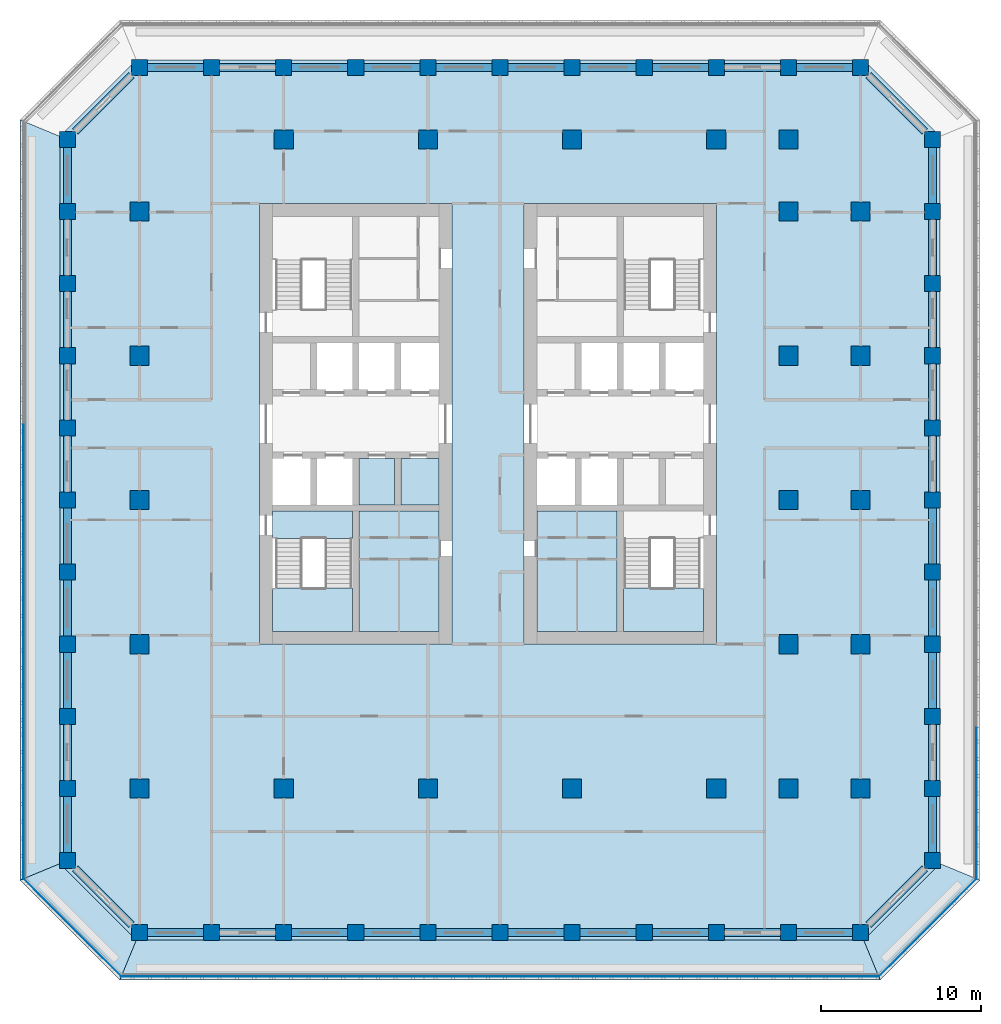
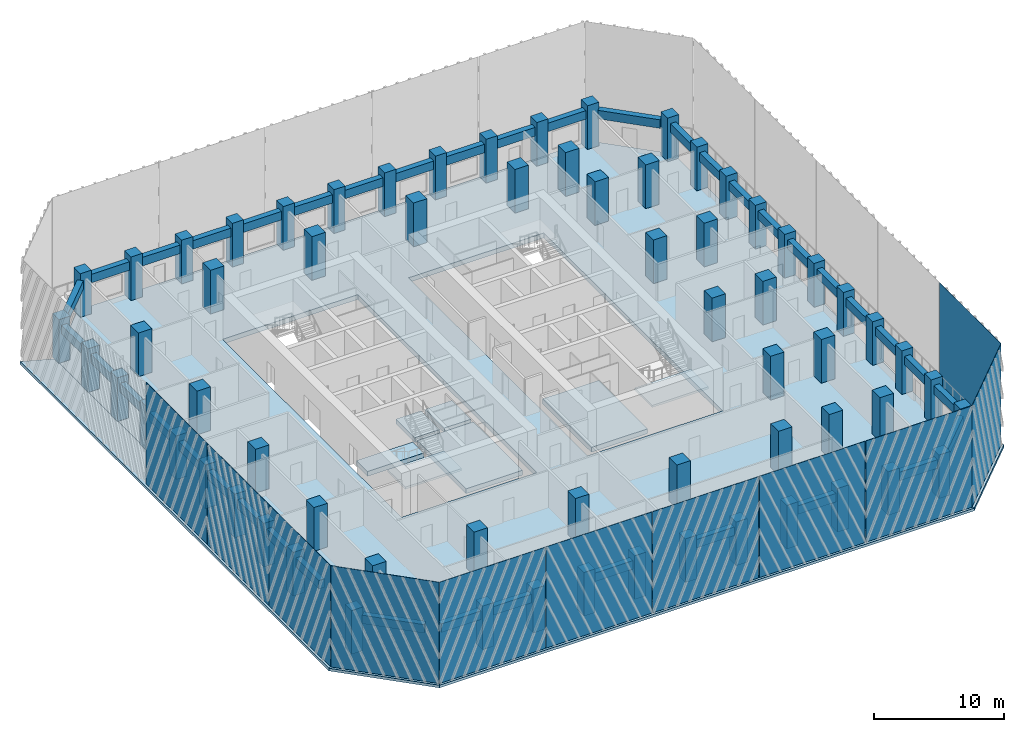
# One storey, part 1 of 17: 68 columns, 44 beams, 12 slabs, 11 plates, 2 elements without a shape of their own.
"""IFC4 building model written with IfcOpenShell, lengths in metres."""

from ifc_helpers import new_model, si_unit, direction, frame, origin, origin_2d, place, context, subcontext, project, spatial, polyline, rectangle, outline, extrude, material, layer, layer_set, material_profile, profile_set, type_object, element, aggregate, save


model = new_model("IFC4")

# Units and contexts
model_context = context("Model", 3, precision=1e-05, world=origin(), true_north=direction((0.0, 1.0)))
body_context = subcontext(model_context, "Body", "Model", "MODEL_VIEW")
ifc_project = project(units=[si_unit("LENGTHUNIT", "METRE"), si_unit("AREAUNIT", "SQUARE_METRE"), si_unit("VOLUMEUNIT", "CUBIC_METRE"), si_unit("PLANEANGLEUNIT", "RADIAN"), si_unit("MASSUNIT", "GRAM", prefix="KILO")], contexts=[model_context])

# Site, building, storey
site_placement = place(None, origin())
site = spatial("IfcSite", under=ifc_project, at=site_placement, CompositionType="ELEMENT")
building_placement = place(site_placement, origin())
building = spatial("IfcBuilding", under=site, at=building_placement, Name="Corbel Stack Research Tower", CompositionType="ELEMENT")
storey_placement = place(building_placement, frame((0.0, 0.0, 216.10009765625)))
storey = spatial("IfcBuildingStorey", under=building, at=storey_placement, Name="L49", CompositionType="ELEMENT", Elevation=216.10009765625)

# Columns
ifc_material_1 = material(Name="Concrete C60/75", Category="concrete")
ifc_material_profile_1 = material_profile(ifc_material_1, rectangle(XDim=1.0, YDim=1.0, at=origin_2d()), Name="RC 1000 x 1000")
ifc_profile_set_1 = profile_set([ifc_material_profile_1], Name="Concrete C60/75")
column_type_1 = type_object("IfcColumnType", Name="C-1000-60", PredefinedType="COLUMN", material=ifc_profile_set_1)
for number, where, z_axis, x_axis, name in (
    (1, (-22.5, -22.5, 0.0), (0.0, 0.0, 1.0), (1.0, 0.0, 0.0), "Column 3/C L49"),
    (2, (-22.5, -18.0, 0.0), (0.0, 0.0, 1.0), (1.0, 0.0, 0.0), "Column 3/D L49"),
    (3, (-22.5, -13.5, 0.0), (0.0, 0.0, 1.0), (1.0, 0.0, 0.0), "Column 3/E L49"),
    (4, (-22.5, -9.0, 0.0), (0.0, 0.0, 1.0), (1.0, 0.0, 0.0), "Column 3/F L49"),
    (5, (-22.5, -4.5, 0.0), (0.0, 0.0, 1.0), (1.0, 0.0, 0.0), "Column 3/G L49"),
    (6, (-22.5, 0.0, 0.0), (0.0, 0.0, 1.0), (1.0, 0.0, 0.0), "Column 3/H L49"),
    (7, (-22.5, 4.5, 0.0), (0.0, 0.0, 1.0), (1.0, 0.0, 0.0), "Column 3/J L49"),
    (8, (-22.5, 9.0, 0.0), (0.0, 0.0, 1.0), (1.0, 0.0, 0.0), "Column 3/K L49"),
    (9, (-22.5, 13.5, 0.0), (0.0, 0.0, 1.0), (1.0, 0.0, 0.0), "Column 3/L L49"),
    (10, (-22.5, 18.0, 0.0), (0.0, 0.0, 1.0), (1.0, 0.0, 0.0), "Column 3/M L49"),
    (11, (-22.5, 22.5, 0.0), (0.0, 0.0, 1.0), (1.0, 0.0, 0.0), "Column 3/N L49"),
    (12, (-18.0, -27.0, 0.0), (0.0, 0.0, 1.0), (1.0, 0.0, 0.0), "Column 4/B L49"),
    (13, (-18.0, 27.0, 0.0), (0.0, 0.0, 1.0), (1.0, 0.0, 0.0), "Column 4/P L49"),
    (14, (-13.5, -27.0, 0.0), (0.0, 0.0, 1.0), (1.0, 0.0, 0.0), "Column 5/B L49"),
    (15, (-13.5, 27.0, 0.0), (0.0, 0.0, 1.0), (1.0, 0.0, 0.0), "Column 5/P L49"),
    (16, (-9.0, -27.0, 0.0), (0.0, 0.0, 1.0), (1.0, 0.0, 0.0), "Column 6/B L49"),
    (17, (-9.0, 27.0, 0.0), (0.0, 0.0, 1.0), (1.0, 0.0, 0.0), "Column 6/P L49"),
    (18, (-4.5, -27.0, 0.0), (0.0, 0.0, 1.0), (1.0, 0.0, 0.0), "Column 7/B L49"),
    (19, (-4.5, 27.0, 0.0), (0.0, 0.0, 1.0), (1.0, 0.0, 0.0), "Column 7/P L49"),
    (20, (0.0, -27.0, 0.0), (0.0, 0.0, 1.0), (1.0, 0.0, 0.0), "Column 8/B L49"),
    (21, (0.0, 27.0, 0.0), (0.0, 0.0, 1.0), (1.0, 0.0, 0.0), "Column 8/P L49"),
    (22, (4.5, -27.0, 0.0), (0.0, 0.0, 1.0), (1.0, 0.0, 0.0), "Column 9/B L49"),
    (23, (4.5, 27.0, 0.0), (0.0, 0.0, 1.0), (1.0, 0.0, 0.0), "Column 9/P L49"),
    (24, (9.0, -27.0, 0.0), (0.0, 0.0, 1.0), (1.0, 0.0, 0.0), "Column 10/B L49"),
    (25, (9.0, 27.0, 0.0), (0.0, 0.0, 1.0), (1.0, 0.0, 0.0), "Column 10/P L49"),
    (26, (13.5, -27.0, 0.0), (0.0, 0.0, 1.0), (1.0, 0.0, 0.0), "Column 11/B L49"),
    (27, (13.5, 27.0, 0.0), (0.0, 0.0, 1.0), (1.0, 0.0, 0.0), "Column 11/P L49"),
    (28, (18.0, -27.0, 0.0), (0.0, 0.0, 1.0), (1.0, 0.0, 0.0), "Column 12/B L49"),
    (29, (18.0, 27.0, 0.0), (0.0, 0.0, 1.0), (1.0, 0.0, 0.0), "Column 12/P L49"),
    (30, (22.5, -27.0, 0.0), (0.0, 0.0, 1.0), (1.0, 0.0, 0.0), "Column 13/B L49"),
    (31, (22.5, 27.0, 0.0), (0.0, 0.0, 1.0), (1.0, 0.0, 0.0), "Column 13/P L49"),
    (32, (27.0, -27.0, 0.0), (0.0, 0.0, 1.0), (1.0, 0.0, 0.0), "Column 14/B L49"),
    (33, (27.0, 27.0, 0.0), (0.0, 0.0, 1.0), (1.0, 0.0, 0.0), "Column 14/P L49"),
    (34, (31.5, -22.5, 0.0), (0.0, 0.0, 1.0), (1.0, 0.0, 0.0), "Column 15/C L49"),
    (35, (31.5, -18.0, 0.0), (0.0, 0.0, 1.0), (1.0, 0.0, 0.0), "Column 15/D L49"),
    (36, (31.5, -13.5, 0.0), (0.0, 0.0, 1.0), (1.0, 0.0, 0.0), "Column 15/E L49"),
    (37, (31.5, -9.0, 0.0), (0.0, 0.0, 1.0), (1.0, 0.0, 0.0), "Column 15/F L49"),
    (38, (31.5, -4.5, 0.0), (0.0, 0.0, 1.0), (1.0, 0.0, 0.0), "Column 15/G L49"),
    (39, (31.5, 0.0, 0.0), (0.0, 0.0, 1.0), (1.0, 0.0, 0.0), "Column 15/H L49"),
    (40, (31.5, 4.5, 0.0), (0.0, 0.0, 1.0), (1.0, 0.0, 0.0), "Column 15/J L49"),
    (41, (31.5, 9.0, 0.0), (0.0, 0.0, 1.0), (1.0, 0.0, 0.0), "Column 15/K L49"),
    (42, (31.5, 13.5, 0.0), (0.0, 0.0, 1.0), (1.0, 0.0, 0.0), "Column 15/L L49"),
    (43, (31.5, 18.0, 0.0), (0.0, 0.0, 1.0), (1.0, 0.0, 0.0), "Column 15/M L49"),
    (44, (31.5, 22.5, 0.0), (0.0, 0.0, 1.0), (1.0, 0.0, 0.0), "Column 15/N L49"),
):
    element("IfcColumn", number, at=place(storey_placement, frame(where, z_axis=z_axis, x_axis=x_axis)), inside=storey, type_object=column_type_1, Name=name, PredefinedType="COLUMN", context=body_context, shape_type="SweptSolid", body=[
        extrude(rectangle(XDim=1.0, YDim=1.0, at=origin_2d()), origin(), (0.0, 0.0, 1.0), 4.099853515625),
    ])
ifc_material_2 = material(Name="Concrete C60/75", Category="concrete")
ifc_material_profile_2 = material_profile(ifc_material_2, rectangle(XDim=1.199951171875, YDim=1.199951171875, at=origin_2d()), Name="RC 1200 x 1200")
ifc_profile_set_2 = profile_set([ifc_material_profile_2], Name="Concrete C60/75")
column_type_2 = type_object("IfcColumnType", Name="C-1200-60", PredefinedType="COLUMN", material=ifc_profile_set_2)
for number, where, z_axis, x_axis, name in (
    (45, (-18.0, -18.0, 0.0), (0.0, 0.0, 1.0), (1.0, 0.0, 0.0), "Column 4/D L49"),
    (46, (-18.0, -9.0, 0.0), (0.0, 0.0, 1.0), (1.0, 0.0, 0.0), "Column 4/F L49"),
    (47, (-18.0, 0.0, 0.0), (0.0, 0.0, 1.0), (1.0, 0.0, 0.0), "Column 4/H L49"),
    (48, (-18.0, 9.0, 0.0), (0.0, 0.0, 1.0), (1.0, 0.0, 0.0), "Column 4/K L49"),
    (49, (-18.0, 18.0, 0.0), (0.0, 0.0, 1.0), (1.0, 0.0, 0.0), "Column 4/M L49"),
    (50, (-9.0, -18.0, 0.0), (0.0, 0.0, 1.0), (1.0, 0.0, 0.0), "Column 6/D L49"),
    (51, (-9.0, 22.5, 0.0), (0.0, 0.0, 1.0), (1.0, 0.0, 0.0), "Column 6/N L49"),
    (52, (0.0, -18.0, 0.0), (0.0, 0.0, 1.0), (1.0, 0.0, 0.0), "Column 8/D L49"),
    (53, (0.0, 22.5, 0.0), (0.0, 0.0, 1.0), (1.0, 0.0, 0.0), "Column 8/N L49"),
    (54, (9.0, -18.0, 0.0), (0.0, 0.0, 1.0), (1.0, 0.0, 0.0), "Column 10/D L49"),
    (55, (9.0, 22.5, 0.0), (0.0, 0.0, 1.0), (1.0, 0.0, 0.0), "Column 10/N L49"),
    (56, (18.0, -18.0, 0.0), (0.0, 0.0, 1.0), (1.0, 0.0, 0.0), "Column 12/D L49"),
    (57, (18.0, 22.5, 0.0), (0.0, 0.0, 1.0), (1.0, 0.0, 0.0), "Column 12/N L49"),
    (58, (22.5, -18.0, 0.0), (0.0, 0.0, 1.0), (1.0, 0.0, 0.0), "Column 13/D L49"),
    (59, (22.5, -9.0, 0.0), (0.0, 0.0, 1.0), (1.0, 0.0, 0.0), "Column 13/F L49"),
    (60, (22.5, 0.0, 0.0), (0.0, 0.0, 1.0), (1.0, 0.0, 0.0), "Column 13/H L49"),
    (61, (22.5, 9.0, 0.0), (0.0, 0.0, 1.0), (1.0, 0.0, 0.0), "Column 13/K L49"),
    (62, (22.5, 18.0, 0.0), (0.0, 0.0, 1.0), (1.0, 0.0, 0.0), "Column 13/M L49"),
    (63, (22.5, 22.5, 0.0), (0.0, 0.0, 1.0), (1.0, 0.0, 0.0), "Column 13/N L49"),
    (64, (27.0, -18.0, 0.0), (0.0, 0.0, 1.0), (1.0, 0.0, 0.0), "Column 14/D L49"),
    (65, (27.0, -9.0, 0.0), (0.0, 0.0, 1.0), (1.0, 0.0, 0.0), "Column 14/F L49"),
    (66, (27.0, 0.0, 0.0), (0.0, 0.0, 1.0), (1.0, 0.0, 0.0), "Column 14/H L49"),
    (67, (27.0, 9.0, 0.0), (0.0, 0.0, 1.0), (1.0, 0.0, 0.0), "Column 14/K L49"),
    (68, (27.0, 18.0, 0.0), (0.0, 0.0, 1.0), (1.0, 0.0, 0.0), "Column 14/M L49"),
):
    element("IfcColumn", number, at=place(storey_placement, frame(where, z_axis=z_axis, x_axis=x_axis)), inside=storey, type_object=column_type_2, Name=name, PredefinedType="COLUMN", context=body_context, shape_type="SweptSolid", body=[
        extrude(rectangle(XDim=1.199951171875, YDim=1.199951171875, at=origin_2d()), origin(), (0.0, 0.0, 1.0), 4.099853515625),
    ])

# Beams
ifc_material_3 = material(Name="Concrete C60/75", Category="concrete")
ifc_material_profile_3 = material_profile(ifc_material_3, rectangle(XDim=0.5, YDim=0.800048828125, at=origin_2d()), Name="RC 500 x 800")
ifc_profile_set_3 = profile_set([ifc_material_profile_3], Name="Concrete C60/75")
beam_type = type_object("IfcBeamType", Name="SB-500-800-600", PredefinedType="SPANDREL", material=ifc_profile_set_3)
for number, where, z_axis, x_axis, name in (
    (69, (-17.5, -27.0, 3.099853515625), (1.0, 0.0, 0.0), (0.0, 1.0, 0.0), "Spandrel beam L49-01"),
    (70, (-13.0, -27.0, 3.099853515625), (1.0, 0.0, 0.0), (0.0, 1.0, 0.0), "Spandrel beam L49-02"),
    (71, (-8.5, -27.0, 3.099853515625), (1.0, 0.0, 0.0), (0.0, 1.0, 0.0), "Spandrel beam L49-03"),
    (72, (-4.0, -27.0, 3.099853515625), (1.0, 0.0, 0.0), (0.0, 1.0, 0.0), "Spandrel beam L49-04"),
    (73, (0.5, -27.0, 3.099853515625), (1.0, 0.0, 0.0), (0.0, 1.0, 0.0), "Spandrel beam L49-05"),
    (74, (5.0, -27.0, 3.099853515625), (1.0, 0.0, 0.0), (0.0, 1.0, 0.0), "Spandrel beam L49-06"),
    (75, (9.5, -27.0, 3.099853515625), (1.0, 0.0, 0.0), (0.0, 1.0, 0.0), "Spandrel beam L49-07"),
    (76, (14.0, -27.0, 3.099853515625), (1.0, 0.0, 0.0), (0.0, 1.0, 0.0), "Spandrel beam L49-08"),
    (77, (18.5, -27.0, 3.099853515625), (1.0, 0.0, 0.0), (0.0, 1.0, 0.0), "Spandrel beam L49-09"),
    (78, (23.0, -27.0, 3.099853515625), (1.0, 0.0, 0.0), (0.0, 1.0, 0.0), "Spandrel beam L49-10"),
):
    element("IfcBeam", number, at=place(storey_placement, frame(where, z_axis=z_axis, x_axis=x_axis)), inside=storey, type_object=beam_type, Name=name, PredefinedType="SPANDREL", context=body_context, shape_type="SweptSolid", body=[
        extrude(rectangle(XDim=0.5, YDim=0.800048828125, at=origin_2d()), origin(), (0.0, 0.0, 1.0), 3.5),
    ])
beam_1_placement = place(storey_placement, frame((27.5, -26.5, 3.099853515625), z_axis=(0.707106781187, 0.707106781187, 0.0), x_axis=(-0.707106781187, 0.707106781187, 0.0)))
element("IfcBeam", 79, at=beam_1_placement, inside=storey, type_object=beam_type, Name="Spandrel beam L49-11", PredefinedType="SPANDREL", context=body_context, shape_type="SweptSolid", body=[
    extrude(rectangle(XDim=0.5, YDim=0.800048828125, at=origin_2d()), origin(), (0.0, 0.0, 1.0), 4.94970703125),
])
for number, where, z_axis, x_axis, name in (
    (80, (31.5, -22.0, 3.099853515625), (0.0, 1.0, 0.0), (-1.0, 0.0, 0.0), "Spandrel beam L49-12"),
    (81, (31.5, -17.5, 3.099853515625), (0.0, 1.0, 0.0), (-1.0, 0.0, 0.0), "Spandrel beam L49-13"),
    (82, (31.5, -13.0, 3.099853515625), (0.0, 1.0, 0.0), (-1.0, 0.0, 0.0), "Spandrel beam L49-14"),
    (83, (31.5, -8.5, 3.099853515625), (0.0, 1.0, 0.0), (-1.0, 0.0, 0.0), "Spandrel beam L49-15"),
    (84, (31.5, -4.0, 3.099853515625), (0.0, 1.0, 0.0), (-1.0, 0.0, 0.0), "Spandrel beam L49-16"),
    (85, (31.5, 0.5, 3.099853515625), (0.0, 1.0, 0.0), (-1.0, 0.0, 0.0), "Spandrel beam L49-17"),
    (86, (31.5, 5.0, 3.099853515625), (0.0, 1.0, 0.0), (-1.0, 0.0, 0.0), "Spandrel beam L49-18"),
    (87, (31.5, 9.5, 3.099853515625), (0.0, 1.0, 0.0), (-1.0, 0.0, 0.0), "Spandrel beam L49-19"),
    (88, (31.5, 14.0, 3.099853515625), (0.0, 1.0, 0.0), (-1.0, 0.0, 0.0), "Spandrel beam L49-20"),
    (89, (31.5, 18.5, 3.099853515625), (0.0, 1.0, 0.0), (-1.0, 0.0, 0.0), "Spandrel beam L49-21"),
):
    element("IfcBeam", number, at=place(storey_placement, frame(where, z_axis=z_axis, x_axis=x_axis)), inside=storey, type_object=beam_type, Name=name, PredefinedType="SPANDREL", context=body_context, shape_type="SweptSolid", body=[
        extrude(rectangle(XDim=0.5, YDim=0.800048828125, at=origin_2d()), origin(), (0.0, 0.0, 1.0), 3.5),
    ])
beam_2_placement = place(storey_placement, frame((31.0, 23.0, 3.099853515625), z_axis=(-0.707106781187, 0.707106781187, 0.0), x_axis=(-0.707106781187, -0.707106781187, 0.0)))
element("IfcBeam", 90, at=beam_2_placement, inside=storey, type_object=beam_type, Name="Spandrel beam L49-22", PredefinedType="SPANDREL", context=body_context, shape_type="SweptSolid", body=[
    extrude(rectangle(XDim=0.5, YDim=0.800048828125, at=origin_2d()), origin(), (0.0, 0.0, 1.0), 4.94970703125),
])
for number, where, z_axis, x_axis, name in (
    (91, (26.5, 27.0, 3.099853515625), (-1.0, 0.0, 0.0), (0.0, -1.0, 0.0), "Spandrel beam L49-23"),
    (92, (22.0, 27.0, 3.099853515625), (-1.0, 0.0, 0.0), (0.0, -1.0, 0.0), "Spandrel beam L49-24"),
    (93, (17.5, 27.0, 3.099853515625), (-1.0, 0.0, 0.0), (0.0, -1.0, 0.0), "Spandrel beam L49-25"),
    (94, (13.0, 27.0, 3.099853515625), (-1.0, 0.0, 0.0), (0.0, -1.0, 0.0), "Spandrel beam L49-26"),
    (95, (8.5, 27.0, 3.099853515625), (-1.0, 0.0, 0.0), (0.0, -1.0, 0.0), "Spandrel beam L49-27"),
    (96, (4.0, 27.0, 3.099853515625), (-1.0, 0.0, 0.0), (0.0, -1.0, 0.0), "Spandrel beam L49-28"),
    (97, (-0.5, 27.0, 3.099853515625), (-1.0, 0.0, 0.0), (0.0, -1.0, 0.0), "Spandrel beam L49-29"),
    (98, (-5.0, 27.0, 3.099853515625), (-1.0, 0.0, 0.0), (0.0, -1.0, 0.0), "Spandrel beam L49-30"),
    (99, (-9.5, 27.0, 3.099853515625), (-1.0, 0.0, 0.0), (0.0, -1.0, 0.0), "Spandrel beam L49-31"),
    (100, (-14.0, 27.0, 3.099853515625), (-1.0, 0.0, 0.0), (0.0, -1.0, 0.0), "Spandrel beam L49-32"),
):
    element("IfcBeam", number, at=place(storey_placement, frame(where, z_axis=z_axis, x_axis=x_axis)), inside=storey, type_object=beam_type, Name=name, PredefinedType="SPANDREL", context=body_context, shape_type="SweptSolid", body=[
        extrude(rectangle(XDim=0.5, YDim=0.800048828125, at=origin_2d()), origin(), (0.0, 0.0, 1.0), 3.5),
    ])
beam_3_placement = place(storey_placement, frame((-18.5, 26.5, 3.099853515625), z_axis=(-0.707106781187, -0.707106781187, 0.0), x_axis=(0.707106781187, -0.707106781187, 0.0)))
element("IfcBeam", 101, at=beam_3_placement, inside=storey, type_object=beam_type, Name="Spandrel beam L49-33", PredefinedType="SPANDREL", context=body_context, shape_type="SweptSolid", body=[
    extrude(rectangle(XDim=0.5, YDim=0.800048828125, at=origin_2d()), origin(), (0.0, 0.0, 1.0), 4.94970703125),
])
for number, where, z_axis, x_axis, name in (
    (102, (-22.5, 22.0, 3.099853515625), (0.0, -1.0, 0.0), (1.0, 0.0, 0.0), "Spandrel beam L49-34"),
    (103, (-22.5, 17.5, 3.099853515625), (0.0, -1.0, 0.0), (1.0, 0.0, 0.0), "Spandrel beam L49-35"),
    (104, (-22.5, 13.0, 3.099853515625), (0.0, -1.0, 0.0), (1.0, 0.0, 0.0), "Spandrel beam L49-36"),
    (105, (-22.5, 8.5, 3.099853515625), (0.0, -1.0, 0.0), (1.0, 0.0, 0.0), "Spandrel beam L49-37"),
    (106, (-22.5, 4.0, 3.099853515625), (0.0, -1.0, 0.0), (1.0, 0.0, 0.0), "Spandrel beam L49-38"),
    (107, (-22.5, -0.5, 3.099853515625), (0.0, -1.0, 0.0), (1.0, 0.0, 0.0), "Spandrel beam L49-39"),
    (108, (-22.5, -5.0, 3.099853515625), (0.0, -1.0, 0.0), (1.0, 0.0, 0.0), "Spandrel beam L49-40"),
    (109, (-22.5, -9.5, 3.099853515625), (0.0, -1.0, 0.0), (1.0, 0.0, 0.0), "Spandrel beam L49-41"),
    (110, (-22.5, -14.0, 3.099853515625), (0.0, -1.0, 0.0), (1.0, 0.0, 0.0), "Spandrel beam L49-42"),
    (111, (-22.5, -18.5, 3.099853515625), (0.0, -1.0, 0.0), (1.0, 0.0, 0.0), "Spandrel beam L49-43"),
):
    element("IfcBeam", number, at=place(storey_placement, frame(where, z_axis=z_axis, x_axis=x_axis)), inside=storey, type_object=beam_type, Name=name, PredefinedType="SPANDREL", context=body_context, shape_type="SweptSolid", body=[
        extrude(rectangle(XDim=0.5, YDim=0.800048828125, at=origin_2d()), origin(), (0.0, 0.0, 1.0), 3.5),
    ])
beam_4_placement = place(storey_placement, frame((-22.0, -23.0, 3.099853515625), z_axis=(0.707106781187, -0.707106781187, 0.0), x_axis=(0.707106781187, 0.707106781187, 0.0)))
element("IfcBeam", 112, at=beam_4_placement, inside=storey, type_object=beam_type, Name="Spandrel beam L49-44", PredefinedType="SPANDREL", context=body_context, shape_type="SweptSolid", body=[
    extrude(rectangle(XDim=0.5, YDim=0.800048828125, at=origin_2d()), origin(), (0.0, 0.0, 1.0), 4.94970703125),
])

# Plates
ifc_material_4 = material(Name="Fritted glass", Category="glass")
ifc_layer_1 = layer(ifc_material_4, 0.02490234375)
ifc_layer_set_1 = layer_set([ifc_layer_1], Name="Fritted glass")
plate_type = type_object("IfcPlateType", Name="Fritted glass panel 25", PredefinedType="SHEET", material=ifc_layer_set_1)
for number, where, z_axis, x_axis, name in (
    (113, (-14.411376953125, -29.737548828125, 0.0), (0.0, 0.0, 1.0), (1.0, 0.0, 0.0), "Fritted glass L49 S1"),
    (114, (-4.95556640625, -29.737548828125, 0.0), (0.0, 0.0, 1.0), (1.0, 0.0, 0.0), "Fritted glass L49 S2"),
    (115, (4.5, -29.737548828125, 0.0), (0.0, 0.0, 1.0), (1.0, 0.0, 0.0), "Fritted glass L49 S3"),
    (116, (13.95556640625, -29.737548828125, 0.0), (0.0, 0.0, 1.0), (1.0, 0.0, 0.0), "Fritted glass L49 S4"),
    (117, (23.411376953125, -29.737548828125, 0.0), (0.0, 0.0, 1.0), (1.0, 0.0, 0.0), "Fritted glass L49 S5"),
):
    element("IfcPlate", number, at=place(storey_placement, frame(where, z_axis=z_axis, x_axis=x_axis)), inside=storey, type_object=plate_type, Name=name, PredefinedType="SHEET", context=body_context, shape_type="SweptSolid", body=[
        extrude(rectangle(XDim=9.3955078125, YDim=0.02490234375, at=origin_2d()), origin(), (0.0, 0.0, 1.0), 9.5),
    ])
plate_1_placement = place(storey_placement, frame((31.185791015625, -26.685791015625, 0.0), z_axis=(0.0, 0.0, 1.0), x_axis=(0.707106781187, 0.707106781187, 0.0)))
element("IfcPlate", 118, at=plate_1_placement, inside=storey, type_object=plate_type, Name="Fritted glass L49 SE1", PredefinedType="SHEET", context=body_context, shape_type="SweptSolid", body=[
    extrude(rectangle(XDim=8.58203125, YDim=0.02490234375, at=origin_2d()), origin(), (0.0, 0.0, 1.0), 9.5),
])
for number, where, z_axis, x_axis, name in (
    (119, (34.237548828125, -18.911376953125, 0.0), (0.0, 0.0, 1.0), (0.0, 1.0, 0.0), "Fritted glass L49 E1"),
    (120, (-25.237548828125, 0.0, 0.0), (0.0, 0.0, 1.0), (0.0, -1.0, 0.0), "Fritted glass L49 W3"),
    (121, (-25.237548828125, -9.45556640625, 0.0), (0.0, 0.0, 1.0), (0.0, -1.0, 0.0), "Fritted glass L49 W4"),
    (122, (-25.237548828125, -18.911376953125, 0.0), (0.0, 0.0, 1.0), (0.0, -1.0, 0.0), "Fritted glass L49 W5"),
):
    element("IfcPlate", number, at=place(storey_placement, frame(where, z_axis=z_axis, x_axis=x_axis)), inside=storey, type_object=plate_type, Name=name, PredefinedType="SHEET", context=body_context, shape_type="SweptSolid", body=[
        extrude(rectangle(XDim=9.3955078125, YDim=0.02490234375, at=origin_2d()), origin(), (0.0, 0.0, 1.0), 9.5),
    ])
plate_2_placement = place(storey_placement, frame((-22.185791015625, -26.685791015625, 0.0), z_axis=(0.0, 0.0, 1.0), x_axis=(0.707106781187, -0.707106781187, 0.0)))
element("IfcPlate", 123, at=plate_2_placement, inside=storey, type_object=plate_type, Name="Fritted glass L49 SW1", PredefinedType="SHEET", context=body_context, shape_type="SweptSolid", body=[
    extrude(rectangle(XDim=8.58203125, YDim=0.02490234375, at=origin_2d()), origin(), (0.0, 0.0, 1.0), 9.5),
])

# Slabs
ifc_material_5 = material(Name="Concrete C45/55", Category="concrete")
ifc_layer_2 = layer(ifc_material_5, 0.25)
ifc_layer_set_2 = layer_set([ifc_layer_2], Name="Concrete C45/55")
slab_type_1 = type_object("IfcSlabType", Name="PT balcony slab 250 C45/55", PredefinedType="FLOOR", material=ifc_layer_set_2)
slab_1_placement = place(storey_placement, frame((0.0, 0.0, -0.25)))
element("IfcSlab", 124, at=slab_1_placement, inside=storey, type_object=slab_type_1, Name="Loggia slab L49 S", PredefinedType="FLOOR", context=body_context, shape_type="SweptSolid", body=[
    extrude(outline(polyline([(27.20703125, -27.5), (26.5, -27.5), (26.5, -27.449951171875), (23.0, -27.449951171875), (23.0, -27.5), (22.0, -27.5), (22.0, -27.449951171875), (18.5, -27.449951171875), (18.5, -27.5), (17.5, -27.5), (17.5, -27.449951171875), (14.0, -27.449951171875), (14.0, -27.5), (13.0, -27.5), (13.0, -27.449951171875), (9.5, -27.449951171875), (9.5, -27.5), (8.5, -27.5), (8.5, -27.449951171875), (5.0, -27.449951171875), (5.0, -27.5), (4.0, -27.5), (4.0, -27.449951171875), (0.5, -27.449951171875), (0.5, -27.5), (-0.5, -27.5), (-0.5, -27.449951171875), (-4.0, -27.449951171875), (-4.0, -27.5), (-5.0, -27.5), (-5.0, -27.449951171875), (-8.5, -27.449951171875), (-8.5, -27.5), (-9.5, -27.5), (-9.5, -27.449951171875), (-13.0, -27.449951171875), (-13.0, -27.5), (-14.0, -27.5), (-14.0, -27.449951171875), (-17.5, -27.449951171875), (-17.5, -27.5), (-18.20703125, -27.5), (-19.221923828125, -29.949951171875), (28.221923828125, -29.949951171875), (27.20703125, -27.5)])), origin(), (0.0, 0.0, 1.0), 0.25),
])
slab_2_placement = place(storey_placement, frame((0.0, 0.0, -0.25)))
element("IfcSlab", 125, at=slab_2_placement, inside=storey, type_object=slab_type_1, Name="Loggia slab L49 SE", PredefinedType="FLOOR", context=body_context, shape_type="SweptSolid", body=[
    extrude(outline(polyline([(32.0, -22.70703125), (32.0, -23.0), (31.636474609375, -23.0), (27.5, -27.136474609375), (27.5, -27.5), (27.20703125, -27.5), (28.221923828125, -29.949951171875), (34.449951171875, -23.721923828125), (32.0, -22.70703125)])), origin(), (0.0, 0.0, 1.0), 0.25),
])
slab_3_placement = place(storey_placement, frame((0.0, 0.0, -0.25)))
element("IfcSlab", 126, at=slab_3_placement, inside=storey, type_object=slab_type_1, Name="Loggia slab L49 W", PredefinedType="FLOOR", context=body_context, shape_type="SweptSolid", body=[
    extrude(outline(polyline([(-23.0, -22.70703125), (-23.0, -22.0), (-22.949951171875, -22.0), (-22.949951171875, -18.5), (-23.0, -18.5), (-23.0, -17.5), (-22.949951171875, -17.5), (-22.949951171875, -14.0), (-23.0, -14.0), (-23.0, -13.0), (-22.949951171875, -13.0), (-22.949951171875, -9.5), (-23.0, -9.5), (-23.0, -8.5), (-22.949951171875, -8.5), (-22.949951171875, -5.0), (-23.0, -5.0), (-23.0, -4.0), (-22.949951171875, -4.0), (-22.949951171875, -0.5), (-23.0, -0.5), (-23.0, 0.5), (-22.949951171875, 0.5), (-22.949951171875, 4.0), (-23.0, 4.0), (-23.0, 5.0), (-22.949951171875, 5.0), (-22.949951171875, 8.5), (-23.0, 8.5), (-23.0, 9.5), (-22.949951171875, 9.5), (-22.949951171875, 13.0), (-23.0, 13.0), (-23.0, 14.0), (-22.949951171875, 14.0), (-22.949951171875, 17.5), (-23.0, 17.5), (-23.0, 18.5), (-22.949951171875, 18.5), (-22.949951171875, 22.0), (-23.0, 22.0), (-23.0, 22.70703125), (-25.449951171875, 23.721923828125), (-25.449951171875, -23.721923828125), (-23.0, -22.70703125)])), origin(), (0.0, 0.0, 1.0), 0.25),
])
slab_4_placement = place(storey_placement, frame((0.0, 0.0, -0.25)))
element("IfcSlab", 127, at=slab_4_placement, inside=storey, type_object=slab_type_1, Name="Loggia slab L49 SW", PredefinedType="FLOOR", context=body_context, shape_type="SweptSolid", body=[
    extrude(outline(polyline([(-18.20703125, -27.5), (-18.5, -27.5), (-18.5, -27.136474609375), (-22.636474609375, -23.0), (-23.0, -23.0), (-23.0, -22.70703125), (-25.449951171875, -23.721923828125), (-19.221923828125, -29.949951171875), (-18.20703125, -27.5)])), origin(), (0.0, 0.0, 1.0), 0.25),
])
ifc_material_6 = material(Name="Concrete C45/55", Category="concrete")
ifc_layer_3 = layer(ifc_material_6, 0.449951171875)
ifc_layer_set_3 = layer_set([ifc_layer_3], Name="Concrete C45/55")
slab_type_2 = type_object("IfcSlabType", Name="PT-450", PredefinedType="FLOOR", material=ifc_layer_set_3)
slab_5_placement = place(storey_placement, frame((0.0, 0.0, -0.4501953125)))
element("IfcSlab", 128, at=slab_5_placement, inside=storey, type_object=slab_type_2, Name="Floor slab L49", PredefinedType="FLOOR", context=body_context, shape_type="SweptSolid", body=[
    extrude(outline(polyline([(-18.186279296875, -27.449951171875), (27.186279296875, -27.449951171875), (31.949951171875, -22.686279296875), (31.949951171875, 22.686279296875), (27.186279296875, 27.449951171875), (-18.186279296875, 27.449951171875), (-22.949951171875, 22.686279296875), (-22.949951171875, -22.686279296875), (-18.186279296875, -27.449951171875)]), holes=[polyline([(26.39990234375, 17.39990234375), (26.39990234375, 18.60009765625), (27.60009765625, 18.60009765625), (27.60009765625, 17.39990234375), (26.39990234375, 17.39990234375)]), polyline([(26.39990234375, 8.39990234375), (26.39990234375, 9.60009765625), (27.60009765625, 9.60009765625), (27.60009765625, 8.39990234375), (26.39990234375, 8.39990234375)]), polyline([(27.60009765625, -0.60009765625), (26.39990234375, -0.60009765625), (26.39990234375, 0.60009765625), (27.60009765625, 0.60009765625), (27.60009765625, -0.60009765625)]), polyline([(26.39990234375, -9.60009765625), (26.39990234375, -8.39990234375), (27.60009765625, -8.39990234375), (27.60009765625, -9.60009765625), (26.39990234375, -9.60009765625)]), polyline([(26.39990234375, -18.60009765625), (26.39990234375, -17.39990234375), (27.60009765625, -17.39990234375), (27.60009765625, -18.60009765625), (26.39990234375, -18.60009765625)]), polyline([(21.89990234375, 21.89990234375), (21.89990234375, 23.10009765625), (23.10009765625, 23.10009765625), (23.10009765625, 21.89990234375), (21.89990234375, 21.89990234375)]), polyline([(21.89990234375, 17.39990234375), (21.89990234375, 18.60009765625), (23.10009765625, 18.60009765625), (23.10009765625, 17.39990234375), (21.89990234375, 17.39990234375)]), polyline([(21.89990234375, 8.39990234375), (21.89990234375, 9.60009765625), (23.10009765625, 9.60009765625), (23.10009765625, 8.39990234375), (21.89990234375, 8.39990234375)]), polyline([(21.89990234375, -0.60009765625), (21.89990234375, 0.60009765625), (23.10009765625, 0.60009765625), (23.10009765625, -0.60009765625), (21.89990234375, -0.60009765625)]), polyline([(23.10009765625, -9.60009765625), (21.89990234375, -9.60009765625), (21.89990234375, -8.39990234375), (23.10009765625, -8.39990234375), (23.10009765625, -9.60009765625)]), polyline([(21.89990234375, -18.60009765625), (21.89990234375, -17.39990234375), (23.10009765625, -17.39990234375), (23.10009765625, -18.60009765625), (21.89990234375, -18.60009765625)]), polyline([(17.39990234375, 21.89990234375), (17.39990234375, 23.10009765625), (18.60009765625, 23.10009765625), (18.60009765625, 21.89990234375), (17.39990234375, 21.89990234375)]), polyline([(18.60009765625, -18.60009765625), (17.39990234375, -18.60009765625), (17.39990234375, -17.39990234375), (18.60009765625, -17.39990234375), (18.60009765625, -18.60009765625)]), polyline([(6.0, -9.0), (6.0, 18.5), (18.0, 18.5), (18.0, -9.0), (6.0, -9.0)]), polyline([(8.39990234375, 21.89990234375), (8.39990234375, 23.10009765625), (9.60009765625, 23.10009765625), (9.60009765625, 21.89990234375), (8.39990234375, 21.89990234375)]), polyline([(9.60009765625, -18.60009765625), (8.39990234375, -18.60009765625), (8.39990234375, -17.39990234375), (9.60009765625, -17.39990234375), (9.60009765625, -18.60009765625)]), polyline([(1.5, -9.0), (-10.5, -9.0), (-10.5, 18.5), (1.5, 18.5), (1.5, -9.0)]), polyline([(-0.60009765625, 21.89990234375), (-0.60009765625, 23.10009765625), (0.60009765625, 23.10009765625), (0.60009765625, 21.89990234375), (-0.60009765625, 21.89990234375)]), polyline([(-0.60009765625, -18.60009765625), (-0.60009765625, -17.39990234375), (0.60009765625, -17.39990234375), (0.60009765625, -18.60009765625), (-0.60009765625, -18.60009765625)]), polyline([(-9.60009765625, 21.89990234375), (-9.60009765625, 23.10009765625), (-8.39990234375, 23.10009765625), (-8.39990234375, 21.89990234375), (-9.60009765625, 21.89990234375)]), polyline([(-9.60009765625, -18.60009765625), (-9.60009765625, -17.39990234375), (-8.39990234375, -17.39990234375), (-8.39990234375, -18.60009765625), (-9.60009765625, -18.60009765625)]), polyline([(-18.60009765625, 17.39990234375), (-18.60009765625, 18.60009765625), (-17.39990234375, 18.60009765625), (-17.39990234375, 17.39990234375), (-18.60009765625, 17.39990234375)]), polyline([(-18.60009765625, 8.39990234375), (-18.60009765625, 9.60009765625), (-17.39990234375, 9.60009765625), (-17.39990234375, 8.39990234375), (-18.60009765625, 8.39990234375)]), polyline([(-18.60009765625, -0.60009765625), (-18.60009765625, 0.60009765625), (-17.39990234375, 0.60009765625), (-17.39990234375, -0.60009765625), (-18.60009765625, -0.60009765625)]), polyline([(-18.60009765625, -9.60009765625), (-18.60009765625, -8.39990234375), (-17.39990234375, -8.39990234375), (-17.39990234375, -9.60009765625), (-18.60009765625, -9.60009765625)]), polyline([(-17.39990234375, -18.60009765625), (-18.60009765625, -18.60009765625), (-18.60009765625, -17.39990234375), (-17.39990234375, -17.39990234375), (-17.39990234375, -18.60009765625)])]), origin(), (0.0, 0.0, 1.0), 0.4501953125),
])
slab_6_placement = place(storey_placement, frame((0.0, 0.0, -0.4501953125)))
element("IfcSlab", 129, at=slab_6_placement, inside=storey, type_object=slab_type_2, Name="West core floor L49", PredefinedType="FLOOR", context=body_context, shape_type="SweptSolid", body=[
    extrude(outline(polyline([(-4.300048828125, -0.699951171875), (-4.300048828125, -8.199951171875), (0.699951171875, -8.199951171875), (0.699951171875, -0.699951171875), (-4.300048828125, -0.699951171875)])), origin(), (0.0, 0.0, 1.0), 0.4501953125),
])
slab_7_placement = place(storey_placement, frame((0.0, 0.0, -0.4501953125)))
element("IfcSlab", 130, at=slab_7_placement, inside=storey, type_object=slab_type_2, Name="West core floor L49", PredefinedType="FLOOR", context=body_context, shape_type="SweptSolid", body=[
    extrude(outline(polyline([(-2.074951171875, -0.300048828125), (-2.074951171875, 2.60009765625), (-4.300048828125, 2.60009765625), (-4.300048828125, -0.300048828125), (-2.074951171875, -0.300048828125)])), origin(), (0.0, 0.0, 1.0), 0.4501953125),
])
slab_8_placement = place(storey_placement, frame((0.0, 0.0, -0.4501953125)))
element("IfcSlab", 131, at=slab_8_placement, inside=storey, type_object=slab_type_2, Name="West core floor L49", PredefinedType="FLOOR", context=body_context, shape_type="SweptSolid", body=[
    extrude(outline(polyline([(0.699951171875, -0.300048828125), (0.699951171875, 2.60009765625), (-1.675048828125, 2.60009765625), (-1.675048828125, -0.300048828125), (0.699951171875, -0.300048828125)])), origin(), (0.0, 0.0, 1.0), 0.4501953125),
])
slab_9_placement = place(storey_placement, frame((0.0, 0.0, -0.4501953125)))
element("IfcSlab", 132, at=slab_9_placement, inside=storey, type_object=slab_type_2, Name="East core floor L49", PredefinedType="FLOOR", context=body_context, shape_type="SweptSolid", body=[
    extrude(outline(polyline([(6.800048828125, -0.699951171875), (6.800048828125, -8.199951171875), (11.800048828125, -8.199951171875), (11.800048828125, -0.699951171875), (6.800048828125, -0.699951171875)])), origin(), (0.0, 0.0, 1.0), 0.4501953125),
])
slab_10_placement = place(storey_placement, frame((0.0, 0.0, -0.4501953125)))
element("IfcSlab", 133, at=slab_10_placement, inside=storey, type_object=slab_type_2, Name="Stair floor landing ST-W1", PredefinedType="FLOOR", context=body_context, shape_type="SweptSolid", body=[
    extrude(outline(polyline([(-9.699951171875, -2.39990234375), (-4.699951171875, -2.39990234375), (-4.699951171875, -0.699951171875), (-9.699951171875, -0.699951171875), (-9.699951171875, -2.39990234375)])), origin(), (0.0, 0.0, 1.0), 0.4501953125),
])

# Stair, slab
ifc_material_7 = material(Name="Concrete C40/50", Category="concrete")
stair_type = type_object("IfcStairType", Name="Exit stair 24 risers", PredefinedType="HALF_TURN_STAIR", material=ifc_material_7)
stair_1_placement = place(storey_placement, origin())
stair_1 = element("IfcStair", 134, at=stair_1_placement, inside=storey, type_object=stair_type, Name="L49 Exit stair ST-W1", PredefinedType="HALF_TURN_STAIR")
ifc_material_8 = material(Name="Concrete C40/50", Category="concrete")
ifc_layer_4 = layer(ifc_material_8, 0.199951171875)
ifc_layer_set_4 = layer_set([ifc_layer_4], Name="Concrete C40/50")
slab_type_3 = type_object("IfcSlabType", Name="Stair landing 200 C40/50", PredefinedType="LANDING", material=ifc_layer_set_4)
slab_11_placement = place(storey_placement, frame((0.0, 0.0, 1.849853515625)))
slab_11 = element("IfcSlab", 135, at=slab_11_placement, type_object=slab_type_3, Name="ST-W1 landing 1", PredefinedType="LANDING", context=body_context, shape_type="SweptSolid", body=[
    extrude(outline(polyline([(-9.699951171875, -8.199951171875), (-9.699951171875, -5.47998046875), (-4.699951171875, -5.47998046875), (-4.699951171875, -8.199951171875), (-9.699951171875, -8.199951171875)])), origin(), (0.0, 0.0, 1.0), 0.199951171875),
])
aggregate(stair_1, [slab_11])

stair_2_placement = place(storey_placement, origin())
stair_2 = element("IfcStair", 136, at=stair_2_placement, inside=storey, type_object=stair_type, Name="L49 Exit stair ST-E1", PredefinedType="HALF_TURN_STAIR")
slab_12_placement = place(storey_placement, frame((0.0, 0.0, 1.849853515625)))
slab_12 = element("IfcSlab", 137, at=slab_12_placement, type_object=slab_type_3, Name="ST-E1 landing 1", PredefinedType="LANDING", context=body_context, shape_type="SweptSolid", body=[
    extrude(outline(polyline([(12.199951171875, -8.199951171875), (12.199951171875, -5.47998046875), (17.199951171875, -5.47998046875), (17.199951171875, -8.199951171875), (12.199951171875, -8.199951171875)])), origin(), (0.0, 0.0, 1.0), 0.199951171875),
])
aggregate(stair_2, [slab_12])

save(model, "model.ifc")
